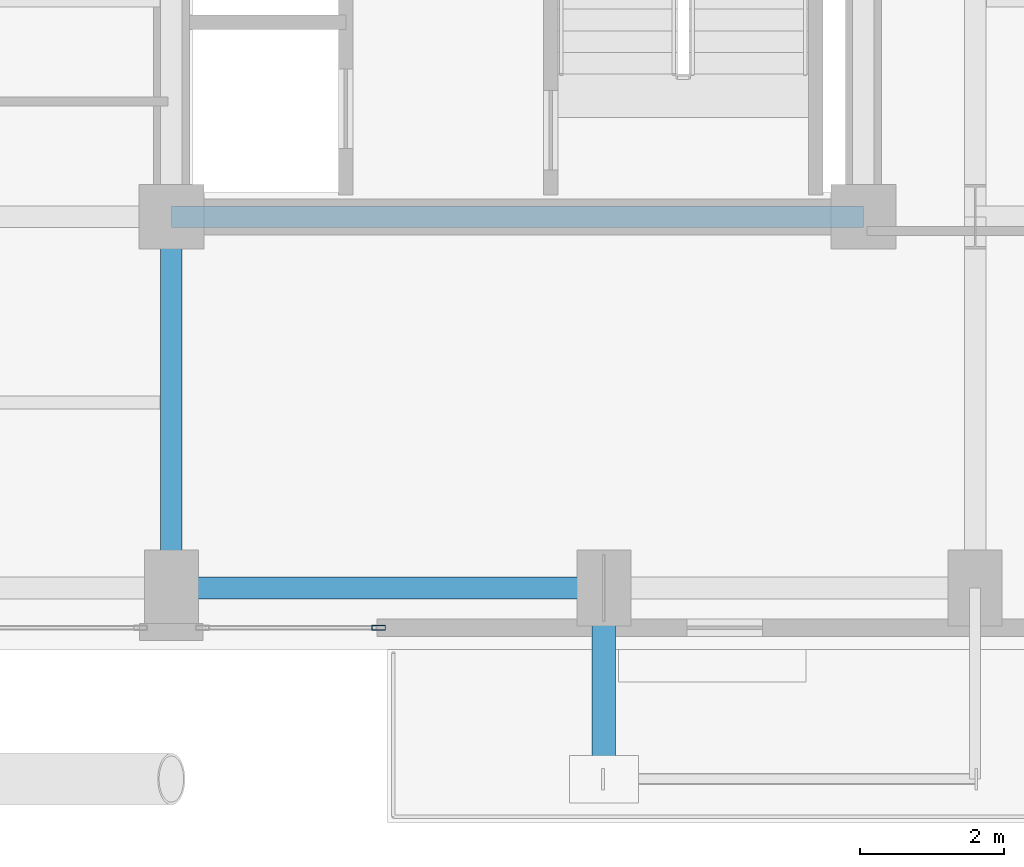
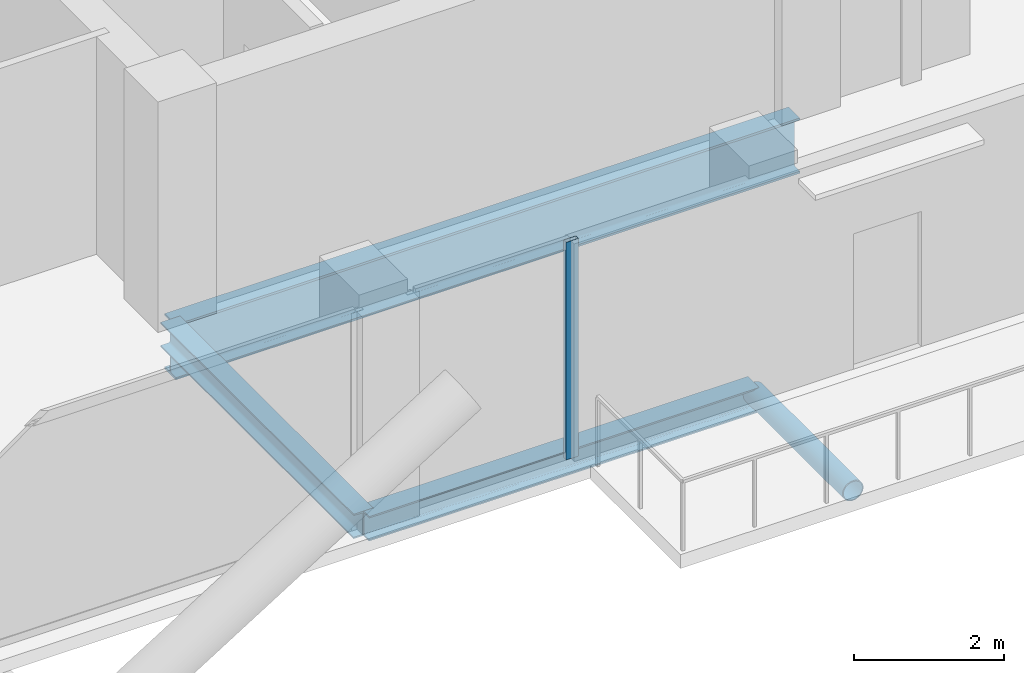
# One storey, part 5 of 25: 3 beams, 2 members, 1 element without a shape of its own.
"""IFC4 building model written with IfcOpenShell, lengths in metres."""

from ifc_helpers import new_model, si_unit, direction, frame, origin, origin_2d, place, context, subcontext, project, spatial, hollow_rectangle, hollow_circle, i_section, extrude, material, layer, layer_set, material_profile, profile_set, type_object, element, aggregate, save


model = new_model("IFC4")

# Units and contexts
model_context = context("Model", 3, precision=1e-05, world=origin(), true_north=direction((0.0, 1.0)))
body_context = subcontext(model_context, "Body", "Model", "MODEL_VIEW")
ifc_project = project(units=[si_unit("LENGTHUNIT", "METRE"), si_unit("AREAUNIT", "SQUARE_METRE"), si_unit("VOLUMEUNIT", "CUBIC_METRE"), si_unit("PLANEANGLEUNIT", "RADIAN"), si_unit("MASSUNIT", "GRAM", prefix="KILO"), si_unit("THERMODYNAMICTEMPERATUREUNIT", "KELVIN"), si_unit("POWERUNIT", "WATT")], contexts=[model_context])

# Site, building, storey
site_placement = place(None, origin())
site = spatial("IfcSite", under=ifc_project, at=site_placement, CompositionType="ELEMENT")
building_placement = place(site_placement, origin())
building = spatial("IfcBuilding", under=site, at=building_placement, Name="Svarakhadi Broadcast Tower", CompositionType="ELEMENT")
storey_placement = place(building_placement, frame((0.0, 0.0, 212.39990234375)))
storey = spatial("IfcBuildingStorey", under=building, at=storey_placement, Name="L52", CompositionType="ELEMENT", Elevation=212.39990234375)

# Curtain wall, member
ifc_material_1 = material(Name="Anodised Bronze Aluminium AA 6063-T6", Category="aluminium")
ifc_layer = layer(ifc_material_1, 0.18994140625)
ifc_layer_set = layer_set([ifc_layer], Name="Anodised Bronze Aluminium AA 6063-T6")
curtain_wall_type = type_object("IfcCurtainWallType", Name="CW_Sys_04", PredefinedType="NOTDEFINED", material=ifc_layer_set)
curtain_wall_placement = place(storey_placement, origin())
curtain_wall = element("IfcCurtainWall", 1, at=curtain_wall_placement, inside=storey, type_object=curtain_wall_type, Name="L52 South Curtain Wall 17 Bay 1", PredefinedType="NOTDEFINED")
ifc_material_profile_1 = material_profile(ifc_material_1, hollow_rectangle(XDim=0.070068359375, YDim=0.18994140625, WallThickness=0.005615234375, at=origin_2d()), Name="ALU MULLION 190x70x6")
ifc_profile_set_1 = profile_set([ifc_material_profile_1], Name="Anodised Bronze Aluminium AA 6063-T6")
member_type_1 = type_object("IfcMemberType", Name="CW_Sys_04_Mul", PredefinedType="MULLION", material=ifc_profile_set_1)
member_1_placement = place(storey_placement, frame((26.875, 0.300048828125, 0.0), z_axis=(0.0, 0.0, 1.0), x_axis=(0.0, -1.0, 0.0)))
member_1 = element("IfcMember", 2, at=member_1_placement, type_object=member_type_1, Name="CW-04 mullion 1", PredefinedType="MULLION", context=body_context, shape_type="SweptSolid", body=[
    extrude(hollow_rectangle(XDim=0.070068359375, YDim=0.18994140625, WallThickness=0.005615234375, at=origin_2d()), origin(), (0.0, 0.0, 1.0), 3.5400390625),
])
aggregate(curtain_wall, [member_1])

# Member
ifc_material_2 = material(Name="Steel S460ML (IS 2062 E450BR)", Category="steel")
ifc_material_profile_2 = material_profile(ifc_material_2, hollow_circle(Radius=0.161865234375, WallThickness=0.01611328125, at=origin_2d()), Name="CHS 323.9x16")
ifc_profile_set_2 = profile_set([ifc_material_profile_2], Name="Steel S460ML (IS 2062 E450BR)")
member_type_2 = type_object("IfcMemberType", Name="Exo_Radial_Strut_Z2", PredefinedType="STRUT", material=ifc_profile_set_2)
member_2_placement = place(storey_placement, frame((30.0, -1.800048828125, -0.371826171875), z_axis=(0.0, 1.0, 0.0), x_axis=(-1.0, 0.0, 0.0)))
element("IfcMember", 3, at=member_2_placement, inside=storey, type_object=member_type_2, Name="L52 Exoskeleton Radial Tie Strut S03", PredefinedType="STRUT", context=body_context, shape_type="SweptSolid", body=[
    extrude(hollow_circle(Radius=0.161865234375, WallThickness=0.01611328125, at=origin_2d()), origin(), (0.0, 0.0, 1.0), 2.650146484375),
])

# Beams
ifc_material_3 = material(Name="Steel S355J2 (IS 2062 E350C)", Category="steel")
ifc_material_profile_3 = material_profile(ifc_material_3, i_section(OverallWidth=0.300048828125, OverallDepth=0.39990234375, WebThickness=0.013427734375, FlangeThickness=0.02392578125, FilletRadius=0.027099609375, at=origin_2d()), Name="WPB 400x300x155")
ifc_profile_set_3 = profile_set([ifc_material_profile_3], Name="Steel S355J2 (IS 2062 E350C)")
beam_type_1 = type_object("IfcBeamType", Name="Girder_WPB400", PredefinedType="USERDEFINED", material=ifc_profile_set_3)
beam_1_placement = place(storey_placement, frame((24.0, 0.85009765625, -0.409912109375), z_axis=(1.0, 0.0, 0.0), x_axis=(0.0, 1.0, 0.0)))
element("IfcBeam", 4, at=beam_1_placement, inside=storey, type_object=beam_type_1, Name="L52 Primary E-W Girder G007", ObjectType="GIRDER", PredefinedType="USERDEFINED", context=body_context, shape_type="SweptSolid", body=[
    extrude(i_section(OverallWidth=0.300048828125, OverallDepth=0.39990234375, WebThickness=0.013427734375, FlangeThickness=0.02392578125, FilletRadius=0.027099609375, at=origin_2d()), origin(), (0.0, 0.0, 1.0), 6.0),
])
beam_2_placement = place(storey_placement, frame((24.0, 0.85009765625, -0.409912109375), z_axis=(0.0, 1.0, 0.0), x_axis=(-1.0, 0.0, 0.0)))
element("IfcBeam", 5, at=beam_2_placement, inside=storey, type_object=beam_type_1, Name="L52 Primary N-S Girder G051", ObjectType="GIRDER", PredefinedType="USERDEFINED", context=body_context, shape_type="SweptSolid", body=[
    extrude(i_section(OverallWidth=0.300048828125, OverallDepth=0.39990234375, WebThickness=0.013427734375, FlangeThickness=0.02392578125, FilletRadius=0.027099609375, at=origin_2d()), origin(), (0.0, 0.0, 1.0), 5.14990234375),
])
ifc_material_profile_4 = material_profile(ifc_material_2, i_section(OverallWidth=0.300048828125, OverallDepth=0.89990234375, WebThickness=0.0185546875, FlangeThickness=0.034912109375, FilletRadius=0.030029296875, at=origin_2d()), Name="WPB 900x300x291")
ifc_profile_set_4 = profile_set([ifc_material_profile_4], Name="Steel S460ML (IS 2062 E450BR)")
beam_type_2 = type_object("IfcBeamType", Name="Girder_WPB900", PredefinedType="USERDEFINED", material=ifc_profile_set_4)
beam_3_placement = place(storey_placement, frame((24.0, 6.0, -0.659912109375), z_axis=(1.0, 0.0, 0.0), x_axis=(0.0, 1.0, 0.0)))
element("IfcBeam", 6, at=beam_3_placement, inside=storey, type_object=beam_type_2, Name="L52 Primary E-W Girder G013", ObjectType="GIRDER", PredefinedType="USERDEFINED", context=body_context, shape_type="SweptSolid", body=[
    extrude(i_section(OverallWidth=0.300048828125, OverallDepth=0.89990234375, WebThickness=0.0185546875, FlangeThickness=0.034912109375, FilletRadius=0.030029296875, at=origin_2d()), origin(), (0.0, 0.0, 1.0), 9.60009765625),
])

save(model, "model.ifc")
